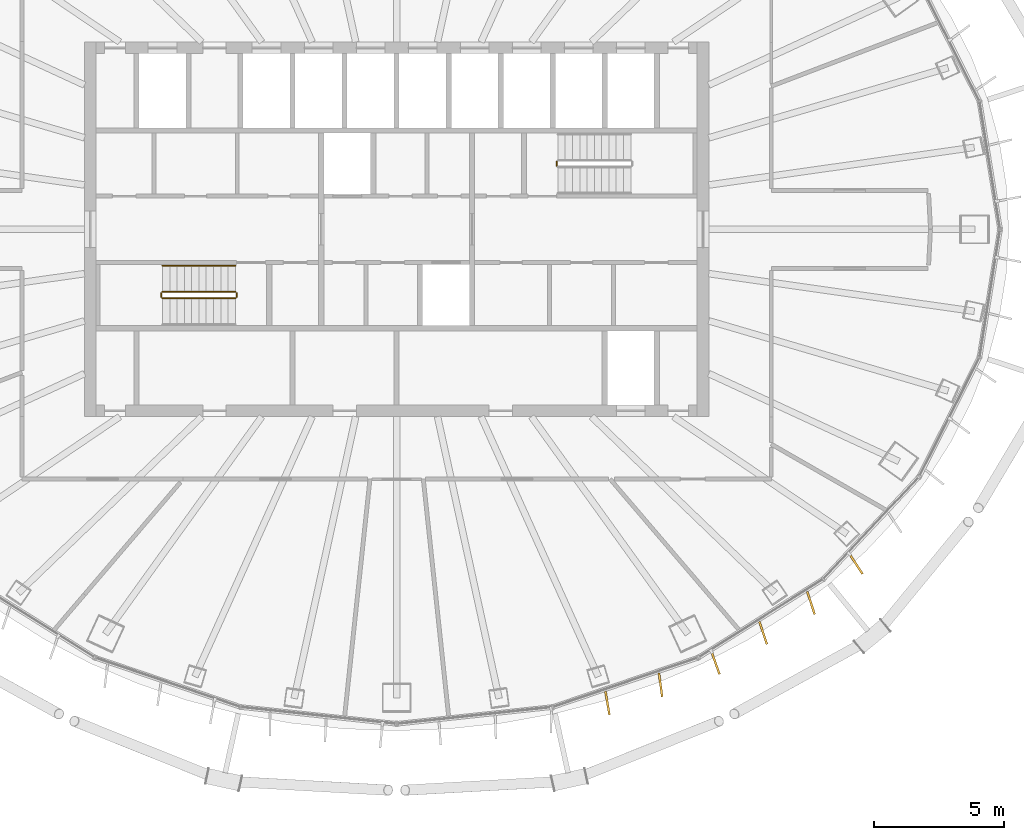
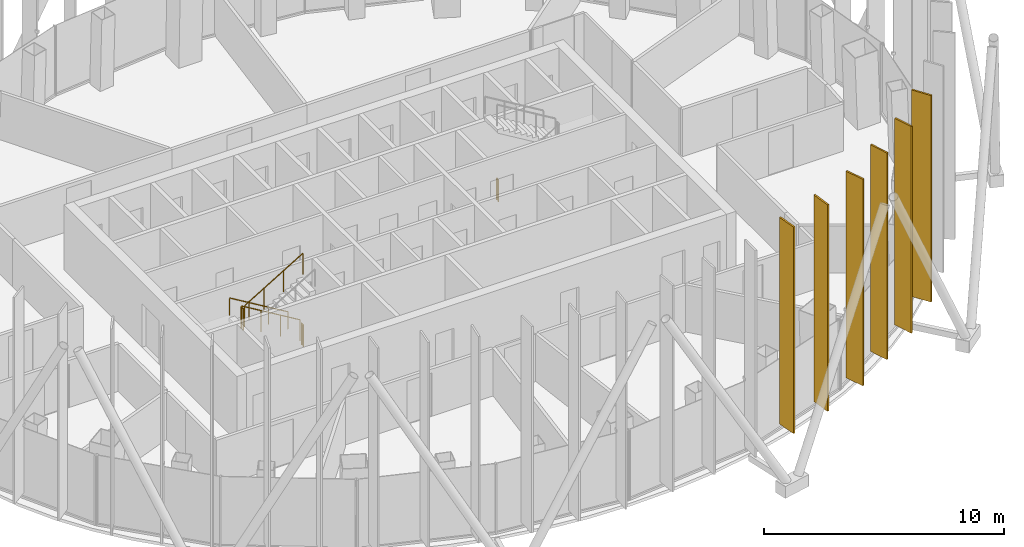
# One storey, part 17 of 19: 6 railings, 6 shading devices.
"""IFC4 building model written with IfcOpenShell, lengths in metres."""

import ifcopenshell
import ifcopenshell.guid

model = None  # the IFC model being written
_history = None  # IfcOwnerHistory: only IFC2X3 demands one
_inside = {}  # id of a spatial element -> (the spatial element, [elements in it])
_under = {}  # id of a project, library or spatial element -> (it, [spatial elements below it])
_declared = {}  # id of a project -> (the project, [libraries it declares])
_typed = {}  # id of a type object -> (the type object, [elements of that type])
_made_of = {}  # id of a material, layer set ... -> (it, [elements and type objects made of it])


def new_model(schema):
    """Start an empty IFC model of exactly this schema.

    Asked for "IFC4X3", IfcOpenShell would pick the latest addendum, in which some entities
    have other attributes; the version numbers below select the first issue.
    IFC2X3 requires an IfcOwnerHistory on every rooted entity: one is made here for all.
    """
    global model, _history
    if schema == "IFC4X3":
        model = ifcopenshell.file(schema_version=(4, 3, 0, 0))
    else:
        model = ifcopenshell.file(schema=schema)
    _inside.clear()
    _under.clear()
    _declared.clear()
    _typed.clear()
    _made_of.clear()
    _history = None
    if model.schema == "IFC2X3":
        org = make("IfcOrganization", Name="unknown")
        user = make(
            "IfcPersonAndOrganization",
            ThePerson=make("IfcPerson", FamilyName="unknown"),
            TheOrganization=org,
        )
        app = make(
            "IfcApplication",
            ApplicationDeveloper=org,
            Version="unknown",
            ApplicationFullName="unknown",
            ApplicationIdentifier="unknown",
        )
        _history = make(
            "IfcOwnerHistory",
            OwningUser=user,
            OwningApplication=app,
            ChangeAction="ADDED",
            CreationDate=0,
        )
    return model


def make(cls, **values):
    """One entity of the class cls with the attributes given. An attribute that is None is left unset."""
    return model.create_entity(
        cls, **{name: value for name, value in values.items() if value is not None}
    )


def rooted(cls, **values):
    """An entity with a GlobalId (a new one), such as an element, a storey or a relation."""
    return make(cls, GlobalId=ifcopenshell.guid.new(), OwnerHistory=_history, **values)


def si_unit(unit_type, name, prefix=None):
    """IfcSIUnit, for example si_unit("LENGTHUNIT", "METRE", prefix="MILLI")."""
    return make("IfcSIUnit", UnitType=unit_type, Prefix=prefix, Name=name)


def assignment(units):
    """IfcUnitAssignment: the units of a project."""
    return None if units is None else make("IfcUnitAssignment", Units=units)


def point(xyz):
    """IfcCartesianPoint."""
    return None if xyz is None else make("IfcCartesianPoint", Coordinates=xyz)


def direction(xyz):
    """IfcDirection."""
    return None if xyz is None else make("IfcDirection", DirectionRatios=xyz)


def frame(location, z_axis=None, x_axis=None):
    """IfcAxis2Placement3D, a coordinate frame: its origin and axes. An axis left out is left unset."""
    return make(
        "IfcAxis2Placement3D",
        Location=point(location),
        Axis=direction(z_axis),
        RefDirection=direction(x_axis),
    )


def frame_2d(location, x_axis=None):
    """IfcAxis2Placement2D, a coordinate frame in the plane: its origin and x axis."""
    return make(
        "IfcAxis2Placement2D", Location=point(location), RefDirection=direction(x_axis)
    )


def origin():
    """The frame at (0, 0, 0) with its axes left unset."""
    return frame((0.0, 0.0, 0.0))


def origin_2d():
    """The frame at (0, 0) in the plane with its x axis left unset."""
    return frame_2d((0.0, 0.0))


def place(relative_to, where):
    """IfcLocalPlacement: puts the frame where relative to a parent placement (None: the world)."""
    return make(
        "IfcLocalPlacement", PlacementRelTo=relative_to, RelativePlacement=where
    )


def context(
    kind, dimensions, precision=None, world=None, true_north=None, identifier=None
):
    """IfcGeometricRepresentationContext, for example the 3D "Model" context."""
    return make(
        "IfcGeometricRepresentationContext",
        ContextIdentifier=identifier,
        ContextType=kind,
        CoordinateSpaceDimension=dimensions,
        Precision=precision,
        WorldCoordinateSystem=world,
        TrueNorth=true_north,
    )


def subcontext(parent, identifier, kind, view, scale=None):
    """IfcGeometricRepresentationSubContext, for example "Body" below "Model"."""
    return make(
        "IfcGeometricRepresentationSubContext",
        ContextIdentifier=identifier,
        ContextType=kind,
        ParentContext=parent,
        TargetScale=scale,
        TargetView=view,
    )


def project(units=None, contexts=None):
    """IfcProject with its units and contexts."""
    return rooted(
        "IfcProject",
        Name="project",
        RepresentationContexts=contexts,
        UnitsInContext=assignment(units),
    )


def spatial(cls, under=None, at=None, **own):
    """A site, building, storey or space (cls), placed at a placement, below another one or the project."""
    s = rooted(cls, ObjectPlacement=at, **own)
    if under is not None:
        _under.setdefault(under.id(), (under, []))[1].append(s)
    return s


def profile(cls, at=None, kind="AREA", **sizes):
    """A parametric profile (cls). Its sizes go by their IFC names, for example OverallWidth=200.0."""
    return make(cls, ProfileType=kind, Position=at, **sizes)


def rectangle(**sizes):
    """IfcRectangleProfileDef."""
    return profile("IfcRectangleProfileDef", **sizes)


def circle(**sizes):
    """IfcCircleProfileDef."""
    return profile("IfcCircleProfileDef", **sizes)


def extrude(swept, where, along, depth):
    """IfcExtrudedAreaSolid: the profile swept, set in the frame where, extruded along a direction by depth."""
    return make(
        "IfcExtrudedAreaSolid",
        SweptArea=swept,
        Position=where,
        ExtrudedDirection=direction(along),
        Depth=depth,
    )


def shape(context_of_items, identifier, shape_type, items):
    """IfcShapeRepresentation: the items that make up one representation, for example the "Body"."""
    return make(
        "IfcShapeRepresentation",
        ContextOfItems=context_of_items,
        RepresentationIdentifier=identifier,
        RepresentationType=shape_type,
        Items=items,
    )


def material(Name=None, Category=None):
    """IfcMaterial."""
    return make("IfcMaterial", Name=Name, Category=Category)


def layer(
    of_material, thickness, ventilated=None, Name=None, Category=None, Priority=None
):
    """IfcMaterialLayer: one layer of a wall or slab, of a material (None: an air gap)."""
    return make(
        "IfcMaterialLayer",
        Material=of_material,
        LayerThickness=thickness,
        IsVentilated=ventilated,
        Name=Name,
        Category=Category,
        Priority=Priority,
    )


def layer_set(layers, Name=None):
    """IfcMaterialLayerSet."""
    return make("IfcMaterialLayerSet", MaterialLayers=layers, LayerSetName=Name)


def made_of(thing, what):
    """Note that an element or type object is made of a material, layer set ...; save() writes the relation."""
    if what is not None:
        _made_of.setdefault(what.id(), (what, []))[1].append(thing)
    return thing


def type_object(cls, material=None, **own):
    """A type object (cls), such as IfcWallType, which elements share."""
    return made_of(rooted(cls, **own), material)


def element(
    cls,
    number,
    at=None,
    inside=None,
    cuts=None,
    type_object=None,
    material=None,
    context=None,
    identifier="Body",
    shape_type=None,
    held_by="IfcProductDefinitionShape",
    body=None,
    shapes=None,
    **own,
):
    """One element of the class cls, such as IfcWall. Its Tag is "e" and its number.

    at: its placement. inside: the storey or other place that contains it. cuts: it is an
    opening in that element (IfcRelVoidsElement). A single representation is given by context,
    identifier, shape_type and body (its items); several are given by shapes. held_by: the class
    of the entity that holds the representations. save() writes the other relations.
    """
    e = rooted(cls, Tag="e%d" % number, ObjectPlacement=at, **own)
    if body is not None:
        shapes = [shape(context, identifier, shape_type, body)]
    if shapes is not None:
        e.Representation = make(held_by, Representations=shapes)
    if inside is not None:
        _inside.setdefault(inside.id(), (inside, []))[1].append(e)
    if cuts is not None:
        rooted(
            "IfcRelVoidsElement", RelatingBuildingElement=cuts, RelatedOpeningElement=e
        )
    if type_object is not None:
        _typed.setdefault(type_object.id(), (type_object, []))[1].append(e)
    return made_of(e, material)


def aggregate(whole, parts):
    """IfcRelAggregates: a whole, such as a stair, and the parts it consists of."""
    return rooted("IfcRelAggregates", RelatingObject=whole, RelatedObjects=parts)


def save(model, path):
    """Write the relations noted so far, then the file.

    IfcRelAggregates (storeys below a building ...), IfcRelContainedInSpatialStructure (elements
    in a storey), IfcRelDefinesByType, IfcRelAssociatesMaterial and IfcRelDeclares: one each for
    every whole, place, type object, material and project.
    """
    for whole, parts in _under.values():
        aggregate(whole, parts)
    for where, things in _inside.values():
        rooted(
            "IfcRelContainedInSpatialStructure",
            RelatedElements=things,
            RelatingStructure=where,
        )
    for kind, things in _typed.values():
        rooted("IfcRelDefinesByType", RelatedObjects=things, RelatingType=kind)
    for what, things in _made_of.values():
        rooted("IfcRelAssociatesMaterial", RelatedObjects=things, RelatingMaterial=what)
    for by, libraries in _declared.values():
        rooted("IfcRelDeclares", RelatingContext=by, RelatedDefinitions=libraries)
    model.write(path)


model = new_model("IFC4")

# Units and contexts
model_context = context("Model", 3, precision=1e-05, world=origin(), true_north=direction((0.0, 1.0)))
body_context = subcontext(model_context, "Body", "Model", "MODEL_VIEW")
ifc_project = project(units=[si_unit("LENGTHUNIT", "METRE"), si_unit("AREAUNIT", "SQUARE_METRE"), si_unit("VOLUMEUNIT", "CUBIC_METRE"), si_unit("PLANEANGLEUNIT", "RADIAN"), si_unit("MASSUNIT", "GRAM", prefix="KILO")], contexts=[model_context])

# Site, building, storey
site_placement = place(None, origin())
site = spatial("IfcSite", under=ifc_project, at=site_placement, CompositionType="ELEMENT")
building_placement = place(site_placement, origin())
building = spatial("IfcBuilding", under=site, at=building_placement, Name="Siaravel Broadcast Tower", CompositionType="ELEMENT")
storey_placement = place(building_placement, frame((0.0, 0.0, 179.300048828125)))
storey = spatial("IfcBuildingStorey", under=building, at=storey_placement, Name="L43", CompositionType="ELEMENT", Elevation=179.300048828125)

# Shading devices
ifc_material_1 = material(Name="Bronze anodised aluminium", Category="aluminium")
ifc_layer = layer(ifc_material_1, 0.080078125)
ifc_layer_set = layer_set([ifc_layer], Name="Bronze anodised aluminium")
shading_device_type = type_object("IfcShadingDeviceType", Name="Bronze fin zone 3", PredefinedType="USERDEFINED", material=ifc_layer_set)
for number, where, z_axis, x_axis, name in (
    (1, (8.1025390625, -18.209716796875, 0.300048828125), (0.0, 0.0, 1.0), (0.167069894, -0.985945054, 0.0), "Bronze fin L43-50"),
    (2, (10.14501953125, -17.513916015625, 0.300048828125), (0.0, 0.0, 1.0), (0.134792131, -0.990873898, 0.0), "Bronze fin L43-51"),
    (3, (12.256591796875, -16.669189453125, 0.300048828125), (0.0, 0.0, 1.0), (0.336998309, -0.941505252, 0.0), "Bronze fin L43-52"),
    (4, (14.08837890625, -15.515625, 0.300048828125), (0.0, 0.0, 1.0), (0.320115335, -0.947378579, 0.0), "Bronze fin L43-53"),
    (5, (15.92431640625, -14.360595703125, 0.300048828125), (0.0, 0.0, 1.0), (0.312122685, -0.950041804, 0.0), "Bronze fin L43-54"),
    (6, (17.65869140625, -12.86474609375, 0.300048828125), (0.0, 0.0, 1.0), (0.544573164, -0.838713341, 0.0), "Bronze fin L43-55"),
):
    element("IfcShadingDevice", number, at=place(storey_placement, frame(where, z_axis=z_axis, x_axis=x_axis)), inside=storey, type_object=shading_device_type, Name=name, ObjectType="FIN", PredefinedType="USERDEFINED", context=body_context, shape_type="SweptSolid", body=[
        extrude(rectangle(XDim=0.919921875, YDim=0.080078125, at=origin_2d()), origin(), (0.0, 0.0, 1.0), 10.5),
    ])

# Railings
ifc_material_2 = material(Name="Stainless steel 316L", Category="steel")
railing_type_1 = type_object("IfcRailingType", Name="Stair guard 1100", PredefinedType="GUARDRAIL", material=ifc_material_2)
railing_1_placement = place(storey_placement, frame((-6.199951171875, -2.39990234375, 0.168212890625)))
element("IfcRailing", 7, at=railing_1_placement, inside=storey, type_object=railing_type_1, Name="L43 ST-1 stair guard 1", PredefinedType="GUARDRAIL", context=body_context, shape_type="SweptSolid", body=[
    extrude(circle(Radius=0.02392578125, at=origin_2d()), frame((0.0, 0.0, 1.076171875), z_axis=(-0.857275203, 0.0, 0.514858453), x_axis=(0.0, -1.0, 0.0)), (0.0, 0.0, 1.0), 3.26611328125),
    extrude(circle(Radius=0.02099609375, at=origin_2d()), origin(), (0.0, 0.0, 1.0), 1.052001953125),
    extrude(circle(Radius=0.02099609375, at=origin_2d()), frame((-0.933349609375, 0.0, 0.560546875)), (0.0, 0.0, 1.0), 1.052001953125),
    extrude(circle(Radius=0.02099609375, at=origin_2d()), frame((-1.86669921875, 0.0, 1.12109375)), (0.0, 0.0, 1.0), 1.052001953125),
    extrude(circle(Radius=0.02099609375, at=origin_2d()), frame((-2.800048828125, 0.0, 1.681640625)), (0.0, 0.0, 1.0), 1.052001953125),
])
railing_2_placement = place(storey_placement, frame((-9.050048828125, -2.449951171875, 1.849853515625)))
element("IfcRailing", 8, at=railing_2_placement, inside=storey, type_object=railing_type_1, Name="L43 ST-1 stair guard 2", PredefinedType="GUARDRAIL", context=body_context, shape_type="SweptSolid", body=[
    extrude(circle(Radius=0.02392578125, at=origin_2d()), frame((0.0, 0.0, 1.076171875), z_axis=(0.0, -1.0, 0.0), x_axis=(1.0, 0.0, 0.0)), (0.0, 0.0, 1.0), 0.150146484375),
    extrude(circle(Radius=0.02099609375, at=origin_2d()), origin(), (0.0, 0.0, 1.0), 1.052001953125),
    extrude(circle(Radius=0.02099609375, at=origin_2d()), frame((0.0, -0.150146484375, 0.0)), (0.0, 0.0, 1.0), 1.052001953125),
])
railing_3_placement = place(storey_placement, frame((-9.0, -2.64990234375, 2.01806640625)))
element("IfcRailing", 9, at=railing_3_placement, inside=storey, type_object=railing_type_1, Name="L43 ST-1 stair guard 3", PredefinedType="GUARDRAIL", context=body_context, shape_type="SweptSolid", body=[
    extrude(circle(Radius=0.02392578125, at=origin_2d()), frame((0.0, 0.0, 1.076171875), z_axis=(0.857242211, 0.0, 0.514913383), x_axis=(0.0, 1.0, 0.0)), (0.0, 0.0, 1.0), 3.266357421875),
    extrude(circle(Radius=0.02099609375, at=origin_2d()), origin(), (0.0, 0.0, 1.0), 1.052001953125),
    extrude(circle(Radius=0.02099609375, at=origin_2d()), frame((0.933349609375, 0.0, 0.560546875)), (0.0, 0.0, 1.0), 1.052001953125),
    extrude(circle(Radius=0.02099609375, at=origin_2d()), frame((1.86669921875, 0.0, 1.121337890625)), (0.0, 0.0, 1.0), 1.052001953125),
    extrude(circle(Radius=0.02099609375, at=origin_2d()), frame((2.800048828125, 0.0, 1.681884765625)), (0.0, 0.0, 1.0), 1.052001953125),
])
railing_4_placement = place(storey_placement, frame((-6.14990234375, -2.449951171875, 0.0)))
element("IfcRailing", 10, at=railing_4_placement, inside=storey, type_object=railing_type_1, Name="L43 ST-1 stair guard 4", PredefinedType="GUARDRAIL", context=body_context, shape_type="SweptSolid", body=[
    extrude(circle(Radius=0.02392578125, at=origin_2d()), frame((0.0, 0.0, 1.076171875), z_axis=(0.0, -1.0, 0.0), x_axis=(1.0, 0.0, 0.0)), (0.0, 0.0, 1.0), 0.150146484375),
    extrude(circle(Radius=0.02099609375, at=origin_2d()), origin(), (0.0, 0.0, 1.0), 1.052001953125),
    extrude(circle(Radius=0.02099609375, at=origin_2d()), frame((0.0, -0.150146484375, 0.0)), (0.0, 0.0, 1.0), 1.052001953125),
])
railing_5_placement = place(storey_placement, frame((6.14990234375, 2.449951171875, 0.0)))
element("IfcRailing", 11, at=railing_5_placement, inside=storey, type_object=railing_type_1, Name="L43 ST-2 stair guard 4", PredefinedType="GUARDRAIL", context=body_context, shape_type="SweptSolid", body=[
    extrude(circle(Radius=0.02392578125, at=origin_2d()), frame((0.0, 0.0, 1.076171875), z_axis=(0.0, 1.0, 0.0), x_axis=(-1.0, 0.0, 0.0)), (0.0, 0.0, 1.0), 0.150146484375),
    extrude(circle(Radius=0.02099609375, at=origin_2d()), origin(), (0.0, 0.0, 1.0), 1.052001953125),
    extrude(circle(Radius=0.02099609375, at=origin_2d()), frame((0.0, 0.150146484375, 0.0)), (0.0, 0.0, 1.0), 1.052001953125),
])
railing_type_2 = type_object("IfcRailingType", Name="Stair handrail 900", PredefinedType="HANDRAIL", material=ifc_material_2)
railing_6_placement = place(storey_placement, frame((-6.199951171875, -1.39990234375, 0.168212890625)))
element("IfcRailing", 12, at=railing_6_placement, inside=storey, type_object=railing_type_2, Name="L43 ST-1 stair handrail 1", PredefinedType="HANDRAIL", context=body_context, shape_type="SweptSolid", body=[
    extrude(circle(Radius=0.02392578125, at=origin_2d()), frame((0.0, 0.0, 0.8759765625), z_axis=(-0.857275203, 0.0, 0.514858453), x_axis=(0.0, -1.0, 0.0)), (0.0, 0.0, 1.0), 3.26611328125),
    extrude(circle(Radius=0.02099609375, at=origin_2d()), origin(), (0.0, 0.0, 1.0), 0.851806640625),
    extrude(circle(Radius=0.02099609375, at=origin_2d()), frame((-0.933349609375, 0.0, 0.560546875)), (0.0, 0.0, 1.0), 0.851806640625),
    extrude(circle(Radius=0.02099609375, at=origin_2d()), frame((-1.86669921875, 0.0, 1.12109375)), (0.0, 0.0, 1.0), 0.851806640625),
    extrude(circle(Radius=0.02099609375, at=origin_2d()), frame((-2.800048828125, 0.0, 1.681640625)), (0.0, 0.0, 1.0), 0.851806640625),
])

save(model, "model.ifc")
